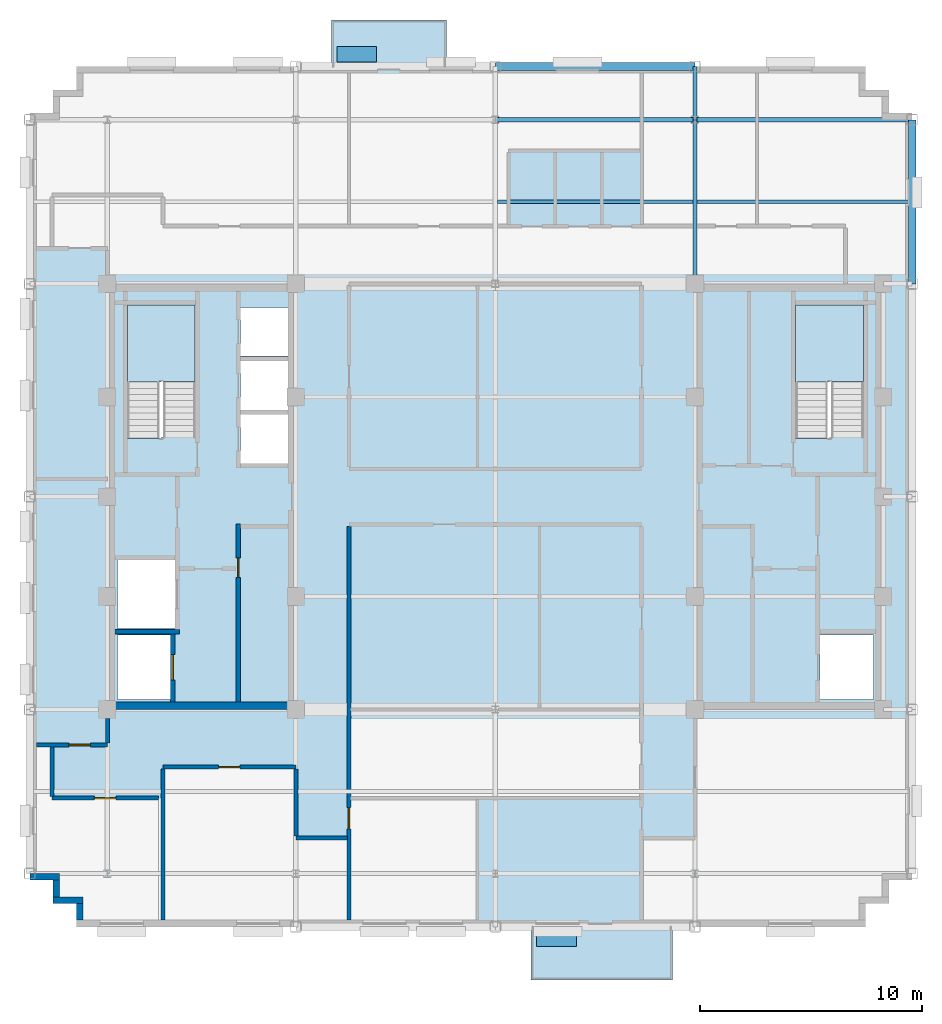
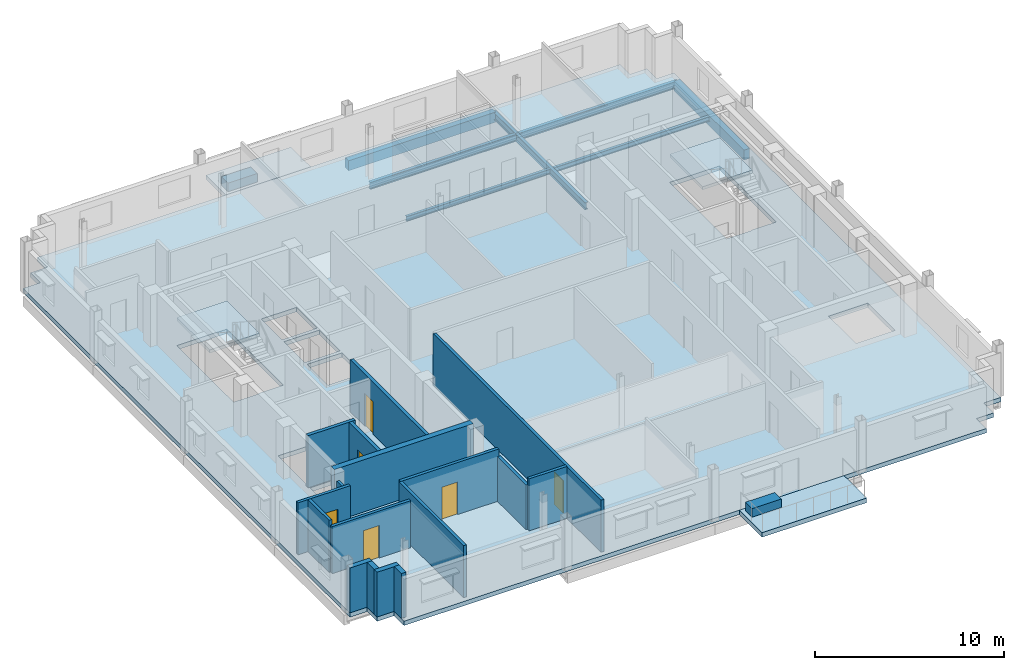
# One storey, part 5 of 13: 17 walls, 8 beams, 6 doors, 5 slabs, 2 plates, 6 openings, 2 elements without a shape of their own.
"""IFC4 building model written with IfcOpenShell, lengths in metres."""

from ifc_helpers import new_model, si_unit, direction, frame, frame_2d, origin, origin_2d, place, context, subcontext, project, spatial, polyline, rectangle, i_section, outline, extrude, source, transform, mapped, material, layer, layer_set, material_profile, profile_set, type_object, type_shapes, element, fill, aggregate, save


model = new_model("IFC4")

# Units and contexts
model_context = context("Model", 3, precision=1e-05, world=origin(), true_north=direction((0.0, 1.0)))
body_context = subcontext(model_context, "Body", "Model", "MODEL_VIEW")
ifc_project = project(units=[si_unit("LENGTHUNIT", "METRE"), si_unit("AREAUNIT", "SQUARE_METRE"), si_unit("VOLUMEUNIT", "CUBIC_METRE"), si_unit("PLANEANGLEUNIT", "RADIAN"), si_unit("MASSUNIT", "GRAM", prefix="KILO")], contexts=[model_context])

# Site, building, storey
site_placement = place(None, origin())
site = spatial("IfcSite", under=ifc_project, at=site_placement, CompositionType="ELEMENT")
building_placement = place(site_placement, origin())
building = spatial("IfcBuilding", under=site, at=building_placement, Name="Nuvemarco Arch Tower", CompositionType="ELEMENT")
storey_placement = place(building_placement, frame((0.0, 0.0, 279.85009765625)))
storey = spatial("IfcBuildingStorey", under=building, at=storey_placement, Name="L74", CompositionType="ELEMENT", Elevation=279.85009765625)

# Beams
ifc_material_1 = material(Name="Steel S355", Category="steel")
ifc_material_profile_1 = material_profile(ifc_material_1, i_section(OverallWidth=0.19189453125, OverallDepth=0.462890625, WebThickness=0.010498046875, FlangeThickness=0.017578125, FilletRadius=0.014892578125, at=origin_2d()), Name="W460x89")
ifc_profile_set_1 = profile_set([ifc_material_profile_1], Name="Steel S355")
beam_type_1 = type_object("IfcBeamType", Name="BM-GIRD-460", PredefinedType="BEAM", material=ifc_profile_set_1)
beam_1_placement = place(storey_placement, frame((9.0, 9.60009765625, -0.51171875), z_axis=(0.0, 1.0, 0.0), x_axis=(-1.0, 0.0, 0.0)))
element("IfcBeam", 1, at=beam_1_placement, inside=storey, type_object=beam_type_1, Name="L74 structural beam BGNS_L74_0_+9.0_+9.6", PredefinedType="BEAM", context=body_context, shape_type="SweptSolid", body=[
    extrude(i_section(OverallWidth=0.19189453125, OverallDepth=0.462890625, WebThickness=0.010498046875, FlangeThickness=0.017578125, FilletRadius=0.014892578125, at=origin_2d()), origin(), (0.0, 0.0, 1.0), 7.39990234375),
])
beam_2_placement = place(storey_placement, frame((9.0, 17.0, -0.51171875), z_axis=(0.0, 1.0, 0.0), x_axis=(-1.0, 0.0, 0.0)))
element("IfcBeam", 2, at=beam_2_placement, inside=storey, type_object=beam_type_1, Name="L74 structural beam BGNS_L74_0_+9.0_+17.0", PredefinedType="BEAM", context=body_context, shape_type="SweptSolid", body=[
    extrude(i_section(OverallWidth=0.19189453125, OverallDepth=0.462890625, WebThickness=0.010498046875, FlangeThickness=0.017578125, FilletRadius=0.014892578125, at=origin_2d()), origin(), (0.0, 0.0, 1.0), 2.39990234375),
])
beam_3_placement = place(storey_placement, frame((0.0, 17.0, -0.51171875), z_axis=(1.0, 0.0, 0.0), x_axis=(0.0, 1.0, 0.0)))
element("IfcBeam", 3, at=beam_3_placement, inside=storey, type_object=beam_type_1, Name="L74 structural beam BGEW_L74_0_+17.0_+0.0", PredefinedType="BEAM", context=body_context, shape_type="SweptSolid", body=[
    extrude(i_section(OverallWidth=0.19189453125, OverallDepth=0.462890625, WebThickness=0.010498046875, FlangeThickness=0.017578125, FilletRadius=0.014892578125, at=origin_2d()), origin(), (0.0, 0.0, 1.0), 9.0),
])
beam_4_placement = place(storey_placement, frame((9.0, 17.0, -0.51171875), z_axis=(1.0, 0.0, 0.0), x_axis=(0.0, 1.0, 0.0)))
element("IfcBeam", 4, at=beam_4_placement, inside=storey, type_object=beam_type_1, Name="L74 structural beam BGEW_L74_0_+17.0_+9.0", PredefinedType="BEAM", context=body_context, shape_type="SweptSolid", body=[
    extrude(i_section(OverallWidth=0.19189453125, OverallDepth=0.462890625, WebThickness=0.010498046875, FlangeThickness=0.017578125, FilletRadius=0.014892578125, at=origin_2d()), origin(), (0.0, 0.0, 1.0), 9.800048828125),
])
ifc_material_profile_2 = material_profile(ifc_material_1, i_section(OverallWidth=0.1669921875, OverallDepth=0.31689453125, WebThickness=0.007568359375, FlangeThickness=0.01318359375, FilletRadius=0.010009765625, at=origin_2d()), Name="W310x52")
ifc_profile_set_2 = profile_set([ifc_material_profile_2], Name="Steel S355")
beam_type_2 = type_object("IfcBeamType", Name="BM-JOIST-310", PredefinedType="JOIST", material=ifc_profile_set_2)
beam_5_placement = place(storey_placement, frame((0.095947265625, 13.300048828125, -0.4384765625), z_axis=(1.0, 0.0, 0.0), x_axis=(0.0, 1.0, 0.0)))
element("IfcBeam", 5, at=beam_5_placement, inside=storey, type_object=beam_type_2, Name="L74 structural beam BJ_L74_0_+13.3_+0.0", PredefinedType="JOIST", context=body_context, shape_type="SweptSolid", body=[
    extrude(i_section(OverallWidth=0.1669921875, OverallDepth=0.31689453125, WebThickness=0.007568359375, FlangeThickness=0.01318359375, FilletRadius=0.010009765625, at=origin_2d()), origin(), (0.0, 0.0, 1.0), 8.80810546875),
])
beam_6_placement = place(storey_placement, frame((9.095947265625, 13.300048828125, -0.4384765625), z_axis=(1.0, 0.0, 0.0), x_axis=(0.0, 1.0, 0.0)))
element("IfcBeam", 6, at=beam_6_placement, inside=storey, type_object=beam_type_2, Name="L74 structural beam BJ_L74_0_+13.3_+9.0", PredefinedType="JOIST", context=body_context, shape_type="SweptSolid", body=[
    extrude(i_section(OverallWidth=0.1669921875, OverallDepth=0.31689453125, WebThickness=0.007568359375, FlangeThickness=0.01318359375, FilletRadius=0.010009765625, at=origin_2d()), origin(), (0.0, 0.0, 1.0), 9.529052734375),
])
ifc_material_2 = material(Name="Precast concrete C45/55", Category="concrete")
ifc_material_profile_3 = material_profile(ifc_material_2, rectangle(XDim=0.35009765625, YDim=0.64990234375, at=origin_2d()), Name="PC-SP-350x650")
ifc_profile_set_3 = profile_set([ifc_material_profile_3], Name="Precast concrete C45/55")
beam_type_3 = type_object("IfcBeamType", Name="BM-SPAN-RC", PredefinedType="SPANDREL", material=ifc_profile_set_3)
beam_7_placement = place(storey_placement, frame((18.800048828125, 9.60009765625, -0.60498046875), z_axis=(0.0, 1.0, 0.0), x_axis=(-1.0, 0.0, 0.0)))
element("IfcBeam", 7, at=beam_7_placement, inside=storey, type_object=beam_type_3, Name="L74 structural beam BGNS_L74_0_+18.8_+9.6", PredefinedType="SPANDREL", context=body_context, shape_type="SweptSolid", body=[
    extrude(rectangle(XDim=0.35009765625, YDim=0.64990234375, at=origin_2d()), origin(), (0.0, 0.0, 1.0), 7.39990234375),
])
beam_8_placement = place(storey_placement, frame((0.0, 19.39990234375, -0.60498046875), z_axis=(1.0, 0.0, 0.0), x_axis=(0.0, 1.0, 0.0)))
element("IfcBeam", 8, at=beam_8_placement, inside=storey, type_object=beam_type_3, Name="L74 structural beam BGEW_L74_0_+19.4_+0.0", PredefinedType="SPANDREL", context=body_context, shape_type="SweptSolid", body=[
    extrude(rectangle(XDim=0.35009765625, YDim=0.64990234375, at=origin_2d()), origin(), (0.0, 0.0, 1.0), 9.0),
])

# Slab
ifc_material_3 = material(Name="Concrete C50/60", Category="concrete")
ifc_layer_1 = layer(ifc_material_3, 0.280029296875, Name="SL-FLR-280")
ifc_layer_set_1 = layer_set([ifc_layer_1], Name="Concrete C50/60")
slab_type_1 = type_object("IfcSlabType", Name="SL-FLR-280", PredefinedType="FLOOR", material=ifc_layer_set_1)
slab_1_placement = place(storey_placement, frame((0.0, 0.0, -0.280029296875)))
element("IfcSlab", 9, at=slab_1_placement, inside=storey, type_object=slab_type_1, Name="L74 structural floor slab", PredefinedType="FLOOR", context=body_context, shape_type="SweptSolid", body=[
    extrude(outline(polyline([(-18.89990234375, -19.39990234375), (16.699951171875, -19.39990234375), (16.699951171875, -18.35009765625), (17.75, -18.35009765625), (17.75, -17.300048828125), (18.800048828125, -17.300048828125), (18.800048828125, 17.300048828125), (17.75, 17.300048828125), (17.75, 18.35009765625), (16.699951171875, 18.35009765625), (16.699951171875, 19.39990234375), (-18.89990234375, 19.39990234375), (-18.89990234375, 18.35009765625), (-19.949951171875, 18.35009765625), (-19.949951171875, 17.300048828125), (-21.0, 17.300048828125), (-21.0, -17.300048828125), (-19.949951171875, -17.300048828125), (-19.949951171875, -18.35009765625), (-18.89990234375, -18.35009765625), (-18.89990234375, -19.39990234375)]), holes=[polyline([(-13.5400390625, 2.669921875), (-13.5400390625, 8.64990234375), (-16.60009765625, 8.64990234375), (-16.60009765625, 2.630615234375), (-15.070068359375, 2.630615234375), (-15.070068359375, 2.669921875), (-13.5400390625, 2.669921875)]), polyline([(16.60009765625, 2.669921875), (16.60009765625, 8.64990234375), (13.5400390625, 8.64990234375), (13.5400390625, 2.630615234375), (15.070068359375, 2.630615234375), (15.070068359375, 2.669921875), (16.60009765625, 2.669921875)]), polyline([(-17.050048828125, -9.14990234375), (-14.64990234375, -9.14990234375), (-14.64990234375, -6.25), (-17.050048828125, -6.25), (-17.050048828125, -9.14990234375)]), polyline([(-17.050048828125, -5.949951171875), (-14.449951171875, -5.949951171875), (-14.449951171875, -2.85009765625), (-17.050048828125, -2.85009765625), (-17.050048828125, -5.949951171875)]), polyline([(-11.5, 1.5), (-9.35009765625, 1.5), (-9.35009765625, 3.699951171875), (-11.5, 3.699951171875), (-11.5, 1.5)]), polyline([(-11.5, 3.919921875), (-9.35009765625, 3.919921875), (-9.35009765625, 6.1201171875), (-11.5, 6.1201171875), (-11.5, 3.919921875)]), polyline([(-11.5, 6.340087890625), (-9.35009765625, 6.340087890625), (-9.35009765625, 8.5400390625), (-11.5, 8.5400390625), (-11.5, 6.340087890625)]), polyline([(14.64990234375, -9.14990234375), (17.050048828125, -9.14990234375), (17.050048828125, -6.25), (14.64990234375, -6.25), (14.64990234375, -9.14990234375)])]), origin(), (0.0, 0.0, 1.0), 0.280029296875),
])

# Stair, slab
stair_type = type_object("IfcStairType", Name="ST-CORE-20R", PredefinedType="HALF_TURN_STAIR", material=ifc_material_2)
stair_1_placement = place(storey_placement, origin())
stair_1 = element("IfcStair", 10, at=stair_1_placement, inside=storey, type_object=stair_type, Name="L74 Protected Exit Stair ST-1", PredefinedType="HALF_TURN_STAIR")
ifc_layer_2 = layer(ifc_material_2, 0.199951171875, Name="SL-LANDING-200")
ifc_layer_set_2 = layer_set([ifc_layer_2], Name="Precast concrete C45/55")
slab_type_2 = type_object("IfcSlabType", Name="SL-LANDING-200", PredefinedType="LANDING", material=ifc_layer_set_2)
slab_2_placement = place(storey_placement, frame((0.0, 0.0, 1.625)))
slab_2 = element("IfcSlab", 11, at=slab_2_placement, type_object=slab_type_2, Name="ST-20R landing 1", PredefinedType="LANDING", context=body_context, shape_type="SweptSolid", body=[
    extrude(outline(polyline([(-13.5400390625, 5.189453125), (-13.5400390625, 8.64990234375), (-16.60009765625, 8.64990234375), (-16.60009765625, 5.169921875), (-15.070068359375, 5.169921875), (-15.070068359375, 5.189453125), (-13.5400390625, 5.189453125)])), origin(), (0.0, 0.0, 1.0), 0.199951171875),
])
aggregate(stair_1, [slab_2])

stair_2_placement = place(storey_placement, origin())
stair_2 = element("IfcStair", 12, at=stair_2_placement, inside=storey, type_object=stair_type, Name="L74 Protected Exit Stair ST-2", PredefinedType="HALF_TURN_STAIR")
slab_3_placement = place(storey_placement, frame((0.0, 0.0, 1.625)))
slab_3 = element("IfcSlab", 13, at=slab_3_placement, type_object=slab_type_2, Name="ST-20R landing 1", PredefinedType="LANDING", context=body_context, shape_type="SweptSolid", body=[
    extrude(outline(polyline([(16.60009765625, 5.189453125), (16.60009765625, 8.64990234375), (13.5400390625, 8.64990234375), (13.5400390625, 5.169921875), (15.070068359375, 5.169921875), (15.070068359375, 5.189453125), (16.60009765625, 5.189453125)])), origin(), (0.0, 0.0, 1.0), 0.199951171875),
])
aggregate(stair_2, [slab_3])

# Slabs
ifc_layer_3 = layer(ifc_material_3, 0.264892578125, Name="SL-TB1")
ifc_layer_set_3 = layer_set([ifc_layer_3], Name="Concrete C50/60")
slab_type_3 = type_object("IfcSlabType", Name="SL-TB1", PredefinedType="FLOOR", material=ifc_layer_set_3)
slab_4_placement = place(storey_placement, frame((0.0, 0.0, -0.26513671875)))
element("IfcSlab", 14, at=slab_4_placement, inside=storey, type_object=slab_type_3, Name="L74 outdoor tree balcony slab 2", PredefinedType="FLOOR", context=body_context, shape_type="SweptSolid", body=[
    extrude(outline(polyline([(-7.39990234375, 19.39990234375), (-2.199951171875, 19.39990234375), (-2.199951171875, 21.5), (-7.39990234375, 21.5), (-7.39990234375, 19.39990234375)])), origin(), (0.0, 0.0, 1.0), 0.26513671875),
])
ifc_layer_4 = layer(ifc_material_3, 0.294921875, Name="SL-TR4")
ifc_layer_set_4 = layer_set([ifc_layer_4], Name="Concrete C50/60")
slab_type_4 = type_object("IfcSlabType", Name="SL-TR4", PredefinedType="FLOOR", material=ifc_layer_set_4)
slab_5_placement = place(storey_placement, frame((0.0, 0.0, -0.295166015625)))
element("IfcSlab", 15, at=slab_5_placement, inside=storey, type_object=slab_type_4, Name="L74 outdoor spiral terrace slab 1", PredefinedType="FLOOR", context=body_context, shape_type="SweptSolid", body=[
    extrude(outline(polyline([(1.60009765625, -21.800048828125), (8.0, -21.800048828125), (8.0, -19.39990234375), (1.60009765625, -19.39990234375), (1.60009765625, -21.800048828125)])), origin(), (0.0, 0.0, 1.0), 0.295166015625),
])

# Plates
ifc_layer_5 = layer(ifc_material_2, 0.550048828125, Name="Tree Balcony Structural Planter")
ifc_layer_set_5 = layer_set([ifc_layer_5], Name="Precast concrete C45/55")
plate_type = type_object("IfcPlateType", Name="Tree Balcony Structural Planter", PredefinedType="USERDEFINED", material=ifc_layer_set_5)
shared_shape_1 = source(origin(), body_context, "Body", "SweptSolid", [
    extrude(rectangle(XDim=1.800048828125, YDim=0.699951171875, at=origin_2d()), origin(), (0.0, 0.0, 1.0), 0.550048828125),
])
type_shapes(plate_type, [shared_shape_1])
for number, where, z_axis, x_axis, name in (
    (16, (2.75, -19.949951171875, 0.0), (0.0, 0.0, 1.0), (1.0, 0.0, 0.0), "L74 Tree Balcony Structural Planter"),
    (17, (-6.25, 19.949951171875, 0.0), (0.0, 0.0, 1.0), (1.0, 0.0, 0.0), "L74 Tree Balcony Structural Planter"),
):
    element("IfcPlate", number, at=place(storey_placement, frame(where, z_axis=z_axis, x_axis=x_axis)), inside=storey, type_object=plate_type, Name=name, ObjectType="PLANTER", PredefinedType="USERDEFINED", context=body_context, shape_type="MappedRepresentation", body=[
        mapped(shared_shape_1, transform((0.0, 0.0, 0.0), scale=1.0)),
    ])

# Walls
ifc_layer_6 = layer(ifc_material_2, 0.300048828125, Name="EW-HIGH-300")
ifc_layer_set_6 = layer_set([ifc_layer_6], Name="Precast concrete C45/55")
wall_type_1 = type_object("IfcWallType", Name="EW-HIGH-300", PredefinedType="STANDARD", material=ifc_layer_set_6)
wall_1_placement = place(storey_placement, frame((-21.0, -17.14990234375, 0.0), z_axis=(0.0, 0.0, 1.0), x_axis=(1.0, 0.0, 0.0)))
element("IfcWall", 18, at=wall_1_placement, inside=storey, type_object=wall_type_1, Name="L74 exterior precast facade wall 17", PredefinedType="STANDARD", context=body_context, shape_type="SweptSolid", body=[
    extrude(rectangle(XDim=1.35009765625, YDim=0.300048828125, at=frame_2d((0.675048828125, 0.0))), origin(), (0.0, 0.0, 1.0), 2.891845703125),
])
wall_2_placement = place(storey_placement, frame((-19.800048828125, -18.053955078125, 0.0), z_axis=(0.0, 0.0, 1.0), x_axis=(0.0, 1.0, 0.0)))
element("IfcWall", 19, at=wall_2_placement, inside=storey, type_object=wall_type_1, Name="L74 exterior precast facade wall 18", PredefinedType="STANDARD", context=body_context, shape_type="SweptSolid", body=[
    extrude(rectangle(XDim=0.758056640625, YDim=0.300048828125, at=frame_2d((0.37890625, 0.0))), origin(), (0.0, 0.0, 1.0), 2.891845703125),
])
wall_3_placement = place(storey_placement, frame((-19.949951171875, -18.199951171875, 0.0), z_axis=(0.0, 0.0, 1.0), x_axis=(1.0, 0.0, 0.0)))
element("IfcWall", 20, at=wall_3_placement, inside=storey, type_object=wall_type_1, Name="L74 exterior precast facade wall 19", PredefinedType="STANDARD", context=body_context, shape_type="SweptSolid", body=[
    extrude(rectangle(XDim=1.349853515625, YDim=0.300048828125, at=frame_2d((0.6748046875, 0.0))), origin(), (0.0, 0.0, 1.0), 2.891845703125),
])
wall_4_placement = place(storey_placement, frame((-18.75, -19.10400390625, 0.0), z_axis=(0.0, 0.0, 1.0), x_axis=(0.0, 1.0, 0.0)))
element("IfcWall", 21, at=wall_4_placement, inside=storey, type_object=wall_type_1, Name="L74 exterior precast facade wall 20", PredefinedType="STANDARD", context=body_context, shape_type="SweptSolid", body=[
    extrude(rectangle(XDim=0.758056640625, YDim=0.300048828125, at=frame_2d((0.37890625, 0.0))), origin(), (0.0, 0.0, 1.0), 2.891845703125),
])
ifc_layer_7 = layer(ifc_material_3, 0.35009765625, Name="WL-CORE-350")
ifc_layer_set_7 = layer_set([ifc_layer_7], Name="Concrete C50/60")
wall_type_2 = type_object("IfcWallType", Name="WL-CORE-350", PredefinedType="SHEAR", material=ifc_layer_set_7)
wall_5_placement = place(storey_placement, frame((-17.5, -9.425048828125, 0.0), z_axis=(0.0, 0.0, 1.0), x_axis=(1.0, 0.0, 0.0)))
element("IfcWall", 22, at=wall_5_placement, inside=storey, type_object=wall_type_2, Name="L74 W-core shear wall S", PredefinedType="SHEAR", context=body_context, shape_type="SweptSolid", body=[
    extrude(rectangle(XDim=8.5, YDim=0.35009765625, at=frame_2d((4.25, 0.0))), origin(), (0.0, 0.0, 1.0), 3.369873046875),
])
ifc_material_4 = material(Name="Fire-rated gypsum drywall partition")
ifc_layer_8 = layer(ifc_material_4, 0.179931640625, Name="WL-CORR-180")
ifc_layer_set_8 = layer_set([ifc_layer_8], Name="Fire-rated gypsum drywall partition")
wall_type_3 = type_object("IfcWallType", Name="WL-CORR-180", PredefinedType="PARTITIONING", material=ifc_layer_set_8)
wall_6_placement = place(storey_placement, frame((-9.0, -15.39990234375, 0.0), z_axis=(0.0, 0.0, 1.0), x_axis=(1.0, 0.0, 0.0)))
element("IfcWall", 23, at=wall_6_placement, inside=storey, type_object=wall_type_3, Name="L74 interior wall IW-L74-001", PredefinedType="PARTITIONING", context=body_context, shape_type="SweptSolid", body=[
    extrude(rectangle(XDim=2.323974609375, YDim=0.179931640625, at=frame_2d((1.162109375, 0.0))), origin(), (0.0, 0.0, 1.0), 3.35986328125),
])

# Wall, opening, door
wall_7_placement = place(storey_placement, frame((-20.0, -13.60009765625, 0.0), z_axis=(0.0, 0.0, 1.0), x_axis=(1.0, 0.0, 0.0)))
wall_7 = element("IfcWall", 24, at=wall_7_placement, inside=storey, type_object=wall_type_3, Name="L74 interior wall IW-L74-003", PredefinedType="PARTITIONING", context=body_context, shape_type="SweptSolid", body=[
    extrude(rectangle(XDim=4.800048828125, YDim=0.179931640625, at=frame_2d((2.39990234375, 0.0))), origin(), (0.0, 0.0, 1.0), 3.037841796875),
])
opening_1_placement = place(wall_7_placement, frame((1.919921875, 0.0, 0.0)))
opening_1 = element("IfcOpeningElement", 25, at=opening_1_placement, cuts=wall_7, Name="Opening FD-5", PredefinedType="OPENING", context=body_context, shape_type="SweptSolid", body=[
    extrude(rectangle(XDim=0.9599609375, YDim=2.10009765625, at=frame_2d((0.47998046875, 1.050048828125))), frame((0.0, 0.099853515625, 0.0), z_axis=(0.0, -1.0, 0.0), x_axis=(1.0, 0.0, 0.0)), (0.0, 0.0, 1.0), 0.199951171875),
])
ifc_material_5 = material(Name="Timber fire door", Category="wood")
door_type_1 = type_object("IfcDoorType", Name="DR-CORR-FD", OperationType="NOTDEFINED", PredefinedType="DOOR", material=ifc_material_5)
shared_shape_2 = source(origin(), body_context, "Body", "SweptSolid", [
    extrude(rectangle(XDim=0.9599609375, YDim=2.10009765625, at=frame_2d((0.47998046875, 1.050048828125))), frame((0.0, 0.02490234375, 0.0), z_axis=(0.0, -1.0, 0.0), x_axis=(1.0, 0.0, 0.0)), (0.0, 0.0, 1.0), 0.050048828125),
])
type_shapes(door_type_1, [shared_shape_2])
door_1_placement = place(opening_1_placement, origin())
door_1 = element("IfcDoor", 26, at=door_1_placement, inside=storey, type_object=door_type_1, Name="L74 door DR-L74-S_1", OperationType="SINGLE_SWING_RIGHT", OverallHeight=2.10009765625, OverallWidth=0.9599609375, PredefinedType="DOOR", context=body_context, shape_type="MappedRepresentation", body=[
    mapped(shared_shape_2, transform((0.0, 0.0, 0.0), scale=1.0)),
])
fill(opening_1, door_1)

wall_8_placement = place(storey_placement, frame((-15.0, -12.199951171875, 0.0), z_axis=(0.0, 0.0, 1.0), x_axis=(1.0, 0.0, 0.0)))
wall_8 = element("IfcWall", 27, at=wall_8_placement, inside=storey, type_object=wall_type_3, Name="L74 interior wall IW-L74-005", PredefinedType="PARTITIONING", context=body_context, shape_type="SweptSolid", body=[
    extrude(rectangle(XDim=6.0, YDim=0.179931640625, at=frame_2d((3.0, 0.0))), origin(), (0.0, 0.0, 1.0), 3.35986328125),
])
opening_2_placement = place(wall_8_placement, frame((2.52001953125, 0.0, 0.0)))
opening_2 = element("IfcOpeningElement", 28, at=opening_2_placement, cuts=wall_8, Name="Opening FD-5", PredefinedType="OPENING", context=body_context, shape_type="SweptSolid", body=[
    extrude(rectangle(XDim=0.9599609375, YDim=2.10009765625, at=frame_2d((0.47998046875, 1.050048828125))), frame((0.0, 0.099853515625, 0.0), z_axis=(0.0, -1.0, 0.0), x_axis=(1.0, 0.0, 0.0)), (0.0, 0.0, 1.0), 0.199951171875),
])
door_2_placement = place(opening_2_placement, origin())
door_2 = element("IfcDoor", 29, at=door_2_placement, inside=storey, type_object=door_type_1, Name="L74 door DR-L74-S_2", OperationType="SINGLE_SWING_RIGHT", OverallHeight=2.10009765625, OverallWidth=0.9599609375, PredefinedType="DOOR", context=body_context, shape_type="MappedRepresentation", body=[
    mapped(shared_shape_2, transform((0.0, 0.0, 0.0), scale=1.0)),
])
fill(opening_2, door_2)

wall_9_placement = place(storey_placement, frame((-20.699951171875, -11.199951171875, 0.0), z_axis=(0.0, 0.0, 1.0), x_axis=(1.0, 0.0, 0.0)))
wall_9 = element("IfcWall", 30, at=wall_9_placement, inside=storey, type_object=wall_type_3, Name="L74 interior wall IW-L74-006", PredefinedType="PARTITIONING", context=body_context, shape_type="SweptSolid", body=[
    extrude(rectangle(XDim=3.199951171875, YDim=0.179931640625, at=frame_2d((1.60009765625, 0.0))), origin(), (0.0, 0.0, 1.0), 3.35986328125),
])
opening_3_placement = place(wall_9_placement, frame((1.469970703125, 0.0, 0.0)))
opening_3 = element("IfcOpeningElement", 31, at=opening_3_placement, cuts=wall_9, Name="Opening FD-5", PredefinedType="OPENING", context=body_context, shape_type="SweptSolid", body=[
    extrude(rectangle(XDim=0.9599609375, YDim=2.10009765625, at=frame_2d((0.47998046875, 1.050048828125))), frame((0.0, 0.099853515625, 0.0), z_axis=(0.0, -1.0, 0.0), x_axis=(1.0, 0.0, 0.0)), (0.0, 0.0, 1.0), 0.199951171875),
])
door_3_placement = place(opening_3_placement, origin())
door_3 = element("IfcDoor", 32, at=door_3_placement, inside=storey, type_object=door_type_1, Name="L74 door DR-L74-W_1", OperationType="SINGLE_SWING_RIGHT", OverallHeight=2.10009765625, OverallWidth=0.9599609375, PredefinedType="DOOR", context=body_context, shape_type="MappedRepresentation", body=[
    mapped(shared_shape_2, transform((0.0, 0.0, 0.0), scale=1.0)),
])
fill(opening_3, door_3)

# Walls
wall_10_placement = place(storey_placement, frame((-20.0, -13.513916015625, 0.0), z_axis=(0.0, 0.0, 1.0), x_axis=(0.0, 1.0, 0.0)))
element("IfcWall", 33, at=wall_10_placement, inside=storey, type_object=wall_type_3, Name="L74 interior wall IW-L74-018", PredefinedType="PARTITIONING", context=body_context, shape_type="SweptSolid", body=[
    extrude(rectangle(XDim=2.22802734375, YDim=0.179931640625, at=frame_2d((1.114013671875, 0.0))), origin(), (0.0, 0.0, 1.0), 3.35986328125),
])
wall_11_placement = place(storey_placement, frame((-17.5, -11.114013671875, 0.0), z_axis=(0.0, 0.0, 1.0), x_axis=(0.0, 1.0, 0.0)))
element("IfcWall", 34, at=wall_11_placement, inside=storey, type_object=wall_type_3, Name="L74 interior wall IW-L74-020", PredefinedType="PARTITIONING", context=body_context, shape_type="SweptSolid", body=[
    extrude(rectangle(XDim=1.117919921875, YDim=0.179931640625, at=frame_2d((0.55908203125, 0.0))), origin(), (0.0, 0.0, 1.0), 2.891845703125),
])
wall_12_placement = place(storey_placement, frame((-15.0, -19.10009765625, 0.0), z_axis=(0.0, 0.0, 1.0), x_axis=(0.0, 1.0, 0.0)))
element("IfcWall", 35, at=wall_12_placement, inside=storey, type_object=wall_type_3, Name="L74 interior wall IW-L74-022", PredefinedType="PARTITIONING", context=body_context, shape_type="SweptSolid", body=[
    extrude(rectangle(XDim=6.814208984375, YDim=0.179931640625, at=frame_2d((3.4072265625, 0.0))), origin(), (0.0, 0.0, 1.0), 3.35986328125),
])
wall_13_placement = place(storey_placement, frame((-9.0, -15.31396484375, 0.0), z_axis=(0.0, 0.0, 1.0), x_axis=(0.0, 1.0, 0.0)))
element("IfcWall", 36, at=wall_13_placement, inside=storey, type_object=wall_type_3, Name="L74 interior wall IW-L74-024", PredefinedType="PARTITIONING", context=body_context, shape_type="SweptSolid", body=[
    extrude(rectangle(XDim=3.028076171875, YDim=0.179931640625, at=frame_2d((1.51416015625, 0.0))), origin(), (0.0, 0.0, 1.0), 2.891845703125),
])

# Wall, opening, door
wall_14_placement = place(storey_placement, frame((-6.60009765625, -19.10009765625, 0.0), z_axis=(0.0, 0.0, 1.0), x_axis=(0.0, 1.0, 0.0)))
wall_14 = element("IfcWall", 37, at=wall_14_placement, inside=storey, type_object=wall_type_3, Name="L74 interior wall IW-L74-025", PredefinedType="PARTITIONING", context=body_context, shape_type="SweptSolid", body=[
    extrude(rectangle(XDim=17.76416015625, YDim=0.179931640625, at=frame_2d((8.882080078125, 0.0))), origin(), (0.0, 0.0, 1.0), 3.35986328125),
])
opening_4_placement = place(wall_14_placement, frame((4.1201171875, 0.0, 0.0)))
opening_4 = element("IfcOpeningElement", 38, at=opening_4_placement, cuts=wall_14, Name="Opening FD-5", PredefinedType="OPENING", context=body_context, shape_type="SweptSolid", body=[
    extrude(rectangle(XDim=0.9599609375, YDim=2.10009765625, at=frame_2d((0.47998046875, 1.050048828125))), frame((0.0, 0.099853515625, 0.0), z_axis=(0.0, -1.0, 0.0), x_axis=(1.0, 0.0, 0.0)), (0.0, 0.0, 1.0), 0.199951171875),
])
door_4_placement = place(opening_4_placement, origin())
door_4 = element("IfcDoor", 39, at=door_4_placement, inside=storey, type_object=door_type_1, Name="L74 door DR-L74-S_4", OperationType="SINGLE_SWING_RIGHT", OverallHeight=2.10009765625, OverallWidth=0.9599609375, PredefinedType="DOOR", context=body_context, shape_type="MappedRepresentation", body=[
    mapped(shared_shape_2, transform((0.0, 0.0, 0.0), scale=1.0)),
])
fill(opening_4, door_4)

ifc_layer_9 = layer(ifc_material_3, 0.199951171875, Name="WL-SHAFT-220")
ifc_layer_set_9 = layer_set([ifc_layer_9], Name="Concrete C50/60")
wall_type_4 = type_object("IfcWallType", Name="WL-SHAFT-220", PredefinedType="SHEAR", material=ifc_layer_set_9)
wall_15_placement = place(storey_placement, frame((-14.550048828125, -9.2548828125, 0.0), z_axis=(0.0, 0.0, 1.0), x_axis=(0.0, 1.0, 0.0)))
wall_15 = element("IfcWall", 40, at=wall_15_placement, inside=storey, type_object=wall_type_4, Name="L74 structural shaft wall SW-L74-W-SHE", PredefinedType="SHEAR", context=body_context, shape_type="SweptSolid", body=[
    extrude(rectangle(XDim=3.059814453125, YDim=0.199951171875, at=frame_2d((1.52978515625, 0.0))), origin(), (0.0, 0.0, 1.0), 3.369873046875),
])
opening_5_placement = place(wall_15_placement, frame((0.97998046875, 0.0, 0.0)))
opening_5 = element("IfcOpeningElement", 41, at=opening_5_placement, cuts=wall_15, Name="Opening LD-2", PredefinedType="OPENING", context=body_context, shape_type="SweptSolid", body=[
    extrude(rectangle(XDim=1.14990234375, YDim=2.14990234375, at=frame_2d((0.574951171875, 1.074951171875))), frame((0.0, 0.10986328125, 0.0), z_axis=(0.0, -1.0, 0.0), x_axis=(1.0, 0.0, 0.0)), (0.0, 0.0, 1.0), 0.219970703125),
])
ifc_material_6 = material(Name="Stainless steel lift door", Category="steel")
door_type_2 = type_object("IfcDoorType", Name="DR-LIFT-FIRE", OperationType="DOUBLE_DOOR_SLIDING", PredefinedType="DOOR", material=ifc_material_6)
shared_shape_3 = source(origin(), body_context, "Body", "SweptSolid", [
    extrude(rectangle(XDim=1.14990234375, YDim=2.14990234375, at=frame_2d((0.574951171875, 1.074951171875))), frame((0.0, 0.02490234375, 0.0), z_axis=(0.0, -1.0, 0.0), x_axis=(1.0, 0.0, 0.0)), (0.0, 0.0, 1.0), 0.050048828125),
])
type_shapes(door_type_2, [shared_shape_3])
door_5_placement = place(opening_5_placement, origin())
door_5 = element("IfcDoor", 42, at=door_5_placement, inside=storey, type_object=door_type_2, Name="L74 Lift landing sliding door FFL-1", OperationType="DOUBLE_DOOR_SLIDING", OverallHeight=2.14990234375, OverallWidth=1.14990234375, PredefinedType="DOOR", context=body_context, shape_type="MappedRepresentation", body=[
    mapped(shared_shape_3, transform((0.0, 0.0, 0.0), scale=1.0)),
])
fill(opening_5, door_5)

# Wall
wall_16_placement = place(storey_placement, frame((-17.155029296875, -6.10009765625, 0.0), z_axis=(0.0, 0.0, 1.0), x_axis=(1.0, 0.0, 0.0)))
element("IfcWall", 43, at=wall_16_placement, inside=storey, type_object=wall_type_4, Name="L74 structural shaft wall SW-L74-W-SH1", PredefinedType="SHEAR", context=body_context, shape_type="SweptSolid", body=[
    extrude(rectangle(XDim=2.905029296875, YDim=0.199951171875, at=frame_2d((1.45263671875, 0.0))), origin(), (0.0, 0.0, 1.0), 3.369873046875),
])

# Wall, opening, door
wall_17_placement = place(storey_placement, frame((-11.60009765625, -9.2548828125, 0.0), z_axis=(0.0, 0.0, 1.0), x_axis=(0.0, 1.0, 0.0)))
wall_17 = element("IfcWall", 44, at=wall_17_placement, inside=storey, type_object=wall_type_4, Name="L74 structural shaft wall SW-L74-W-PLW", PredefinedType="SHEAR", context=body_context, shape_type="SweptSolid", body=[
    extrude(rectangle(XDim=8.02490234375, YDim=0.199951171875, at=frame_2d((4.012451171875, 0.0))), origin(), (0.0, 0.0, 1.0), 3.369873046875),
])
opening_6_placement = place(wall_17_placement, frame((5.614990234375, 0.0, 0.0)))
opening_6 = element("IfcOpeningElement", 45, at=opening_6_placement, cuts=wall_17, Name="Opening FD-4", PredefinedType="OPENING", context=body_context, shape_type="SweptSolid", body=[
    extrude(rectangle(XDim=0.8798828125, YDim=2.10009765625, at=frame_2d((0.43994140625, 1.050048828125))), frame((0.0, 0.10986328125, 0.0), z_axis=(0.0, -1.0, 0.0), x_axis=(1.0, 0.0, 0.0)), (0.0, 0.0, 1.0), 0.219970703125),
])
ifc_material_7 = material(Name="Anodised steel fire door", Category="steel")
door_type_3 = type_object("IfcDoorType", Name="DR-RISER-FD", OperationType="NOTDEFINED", PredefinedType="DOOR", material=ifc_material_7)
shared_shape_4 = source(origin(), body_context, "Body", "SweptSolid", [
    extrude(rectangle(XDim=0.8798828125, YDim=2.10009765625, at=frame_2d((0.43994140625, 1.050048828125))), frame((0.0, 0.02490234375, 0.0), z_axis=(0.0, -1.0, 0.0), x_axis=(1.0, 0.0, 0.0)), (0.0, 0.0, 1.0), 0.050048828125),
])
type_shapes(door_type_3, [shared_shape_4])
door_6_placement = place(opening_6_placement, origin())
door_6 = element("IfcDoor", 46, at=door_6_placement, inside=storey, type_object=door_type_3, Name="L74 door FD-L74-WREC1", OperationType="SINGLE_SWING_RIGHT", OverallHeight=2.10009765625, OverallWidth=0.8798828125, PredefinedType="DOOR", context=body_context, shape_type="MappedRepresentation", body=[
    mapped(shared_shape_4, transform((0.0, 0.0, 0.0), scale=1.0)),
])
fill(opening_6, door_6)

save(model, "model.ifc")
